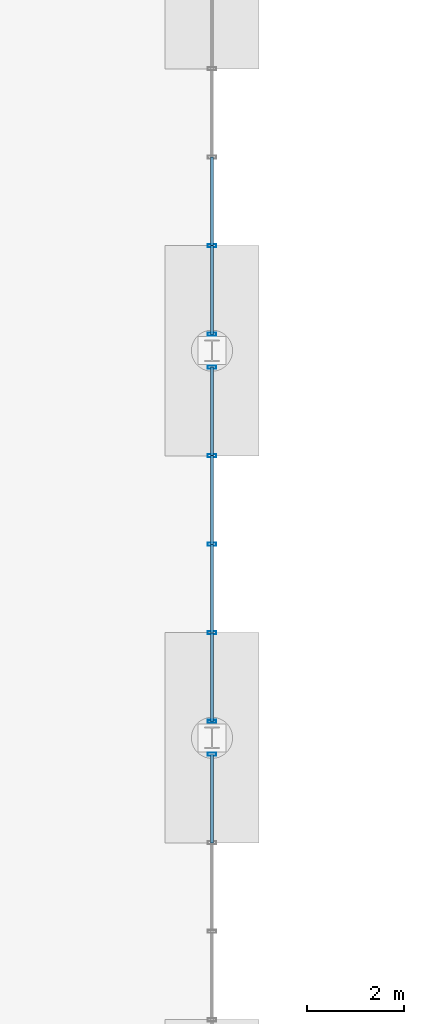
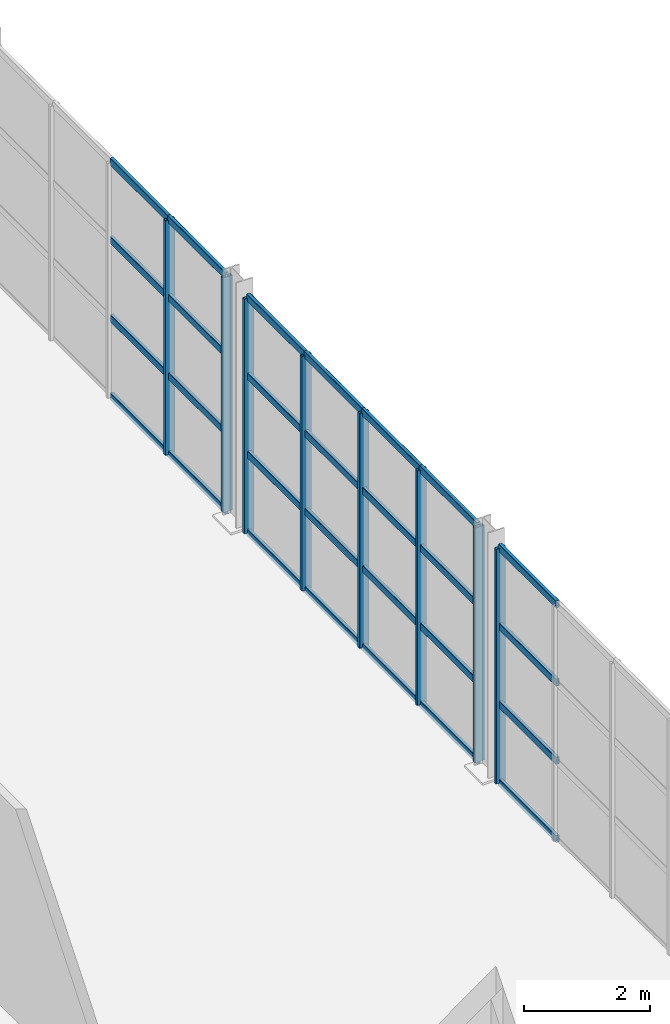
# One storey, part 46 of 101: 36 members, 3 elements without a shape of their own.
"""IFC4 building model written with IfcOpenShell, lengths in metres."""

import ifcopenshell
import ifcopenshell.guid

model = None  # the IFC model being written
_history = None  # IfcOwnerHistory: only IFC2X3 demands one
_inside = {}  # id of a spatial element -> (the spatial element, [elements in it])
_under = {}  # id of a project, library or spatial element -> (it, [spatial elements below it])
_declared = {}  # id of a project -> (the project, [libraries it declares])
_typed = {}  # id of a type object -> (the type object, [elements of that type])
_made_of = {}  # id of a material, layer set ... -> (it, [elements and type objects made of it])


def new_model(schema):
    """Start an empty IFC model of exactly this schema.

    Asked for "IFC4X3", IfcOpenShell would pick the latest addendum, in which some entities
    have other attributes; the version numbers below select the first issue.
    IFC2X3 requires an IfcOwnerHistory on every rooted entity: one is made here for all.
    """
    global model, _history
    if schema == "IFC4X3":
        model = ifcopenshell.file(schema_version=(4, 3, 0, 0))
    else:
        model = ifcopenshell.file(schema=schema)
    _inside.clear()
    _under.clear()
    _declared.clear()
    _typed.clear()
    _made_of.clear()
    _history = None
    if model.schema == "IFC2X3":
        org = make("IfcOrganization", Name="unknown")
        user = make(
            "IfcPersonAndOrganization",
            ThePerson=make("IfcPerson", FamilyName="unknown"),
            TheOrganization=org,
        )
        app = make(
            "IfcApplication",
            ApplicationDeveloper=org,
            Version="unknown",
            ApplicationFullName="unknown",
            ApplicationIdentifier="unknown",
        )
        _history = make(
            "IfcOwnerHistory",
            OwningUser=user,
            OwningApplication=app,
            ChangeAction="ADDED",
            CreationDate=0,
        )
    return model


def make(cls, **values):
    """One entity of the class cls with the attributes given. An attribute that is None is left unset."""
    return model.create_entity(
        cls, **{name: value for name, value in values.items() if value is not None}
    )


def rooted(cls, **values):
    """An entity with a GlobalId (a new one), such as an element, a storey or a relation."""
    return make(cls, GlobalId=ifcopenshell.guid.new(), OwnerHistory=_history, **values)


def si_unit(unit_type, name, prefix=None):
    """IfcSIUnit, for example si_unit("LENGTHUNIT", "METRE", prefix="MILLI")."""
    return make("IfcSIUnit", UnitType=unit_type, Prefix=prefix, Name=name)


def derived_unit(unit_type, elements):
    """IfcDerivedUnit: a product of units, each with its exponent."""
    return make(
        "IfcDerivedUnit",
        Elements=[
            make("IfcDerivedUnitElement", Unit=unit, Exponent=power)
            for unit, power in elements
        ],
        UnitType=unit_type,
    )


def assignment(units):
    """IfcUnitAssignment: the units of a project."""
    return None if units is None else make("IfcUnitAssignment", Units=units)


def point(xyz):
    """IfcCartesianPoint."""
    return None if xyz is None else make("IfcCartesianPoint", Coordinates=xyz)


def direction(xyz):
    """IfcDirection."""
    return None if xyz is None else make("IfcDirection", DirectionRatios=xyz)


def frame(location, z_axis=None, x_axis=None):
    """IfcAxis2Placement3D, a coordinate frame: its origin and axes. An axis left out is left unset."""
    return make(
        "IfcAxis2Placement3D",
        Location=point(location),
        Axis=direction(z_axis),
        RefDirection=direction(x_axis),
    )


def frame_2d(location, x_axis=None):
    """IfcAxis2Placement2D, a coordinate frame in the plane: its origin and x axis."""
    return make(
        "IfcAxis2Placement2D", Location=point(location), RefDirection=direction(x_axis)
    )


def origin():
    """The frame at (0, 0, 0) with its axes left unset."""
    return frame((0.0, 0.0, 0.0))


def origin_2d():
    """The frame at (0, 0) in the plane with its x axis left unset."""
    return frame_2d((0.0, 0.0))


def place(relative_to, where):
    """IfcLocalPlacement: puts the frame where relative to a parent placement (None: the world)."""
    return make(
        "IfcLocalPlacement", PlacementRelTo=relative_to, RelativePlacement=where
    )


def context(
    kind, dimensions, precision=None, world=None, true_north=None, identifier=None
):
    """IfcGeometricRepresentationContext, for example the 3D "Model" context."""
    return make(
        "IfcGeometricRepresentationContext",
        ContextIdentifier=identifier,
        ContextType=kind,
        CoordinateSpaceDimension=dimensions,
        Precision=precision,
        WorldCoordinateSystem=world,
        TrueNorth=true_north,
    )


def subcontext(parent, identifier, kind, view, scale=None):
    """IfcGeometricRepresentationSubContext, for example "Body" below "Model"."""
    return make(
        "IfcGeometricRepresentationSubContext",
        ContextIdentifier=identifier,
        ContextType=kind,
        ParentContext=parent,
        TargetScale=scale,
        TargetView=view,
    )


def project(units=None, contexts=None):
    """IfcProject with its units and contexts."""
    return rooted(
        "IfcProject",
        Name="project",
        RepresentationContexts=contexts,
        UnitsInContext=assignment(units),
    )


def spatial(cls, under=None, at=None, **own):
    """A site, building, storey or space (cls), placed at a placement, below another one or the project."""
    s = rooted(cls, ObjectPlacement=at, **own)
    if under is not None:
        _under.setdefault(under.id(), (under, []))[1].append(s)
    return s


def profile(cls, at=None, kind="AREA", **sizes):
    """A parametric profile (cls). Its sizes go by their IFC names, for example OverallWidth=200.0."""
    return make(cls, ProfileType=kind, Position=at, **sizes)


def hollow_rectangle(**sizes):
    """IfcRectangleHollowProfileDef."""
    return profile("IfcRectangleHollowProfileDef", **sizes)


def extrude(swept, where, along, depth):
    """IfcExtrudedAreaSolid: the profile swept, set in the frame where, extruded along a direction by depth."""
    return make(
        "IfcExtrudedAreaSolid",
        SweptArea=swept,
        Position=where,
        ExtrudedDirection=direction(along),
        Depth=depth,
    )


def shape(context_of_items, identifier, shape_type, items):
    """IfcShapeRepresentation: the items that make up one representation, for example the "Body"."""
    return make(
        "IfcShapeRepresentation",
        ContextOfItems=context_of_items,
        RepresentationIdentifier=identifier,
        RepresentationType=shape_type,
        Items=items,
    )


def material(Name=None, Category=None):
    """IfcMaterial."""
    return make("IfcMaterial", Name=Name, Category=Category)


def material_profile(
    of_material, cross_section, Name=None, Category=None, Priority=None
):
    """IfcMaterialProfile: a cross section and its material."""
    return make(
        "IfcMaterialProfile",
        Name=Name,
        Material=of_material,
        Profile=cross_section,
        Priority=Priority,
        Category=Category,
    )


def profile_set(profiles, Name=None, composite=None):
    """IfcMaterialProfileSet."""
    return make(
        "IfcMaterialProfileSet",
        Name=Name,
        MaterialProfiles=profiles,
        CompositeProfile=composite,
    )


def made_of(thing, what):
    """Note that an element or type object is made of a material, layer set ...; save() writes the relation."""
    if what is not None:
        _made_of.setdefault(what.id(), (what, []))[1].append(thing)
    return thing


def type_object(cls, material=None, **own):
    """A type object (cls), such as IfcWallType, which elements share."""
    return made_of(rooted(cls, **own), material)


def element(
    cls,
    number,
    at=None,
    inside=None,
    cuts=None,
    type_object=None,
    material=None,
    context=None,
    identifier="Body",
    shape_type=None,
    held_by="IfcProductDefinitionShape",
    body=None,
    shapes=None,
    **own,
):
    """One element of the class cls, such as IfcWall. Its Tag is "e" and its number.

    at: its placement. inside: the storey or other place that contains it. cuts: it is an
    opening in that element (IfcRelVoidsElement). A single representation is given by context,
    identifier, shape_type and body (its items); several are given by shapes. held_by: the class
    of the entity that holds the representations. save() writes the other relations.
    """
    e = rooted(cls, Tag="e%d" % number, ObjectPlacement=at, **own)
    if body is not None:
        shapes = [shape(context, identifier, shape_type, body)]
    if shapes is not None:
        e.Representation = make(held_by, Representations=shapes)
    if inside is not None:
        _inside.setdefault(inside.id(), (inside, []))[1].append(e)
    if cuts is not None:
        rooted(
            "IfcRelVoidsElement", RelatingBuildingElement=cuts, RelatedOpeningElement=e
        )
    if type_object is not None:
        _typed.setdefault(type_object.id(), (type_object, []))[1].append(e)
    return made_of(e, material)


def aggregate(whole, parts):
    """IfcRelAggregates: a whole, such as a stair, and the parts it consists of."""
    return rooted("IfcRelAggregates", RelatingObject=whole, RelatedObjects=parts)


def save(model, path):
    """Write the relations noted so far, then the file.

    IfcRelAggregates (storeys below a building ...), IfcRelContainedInSpatialStructure (elements
    in a storey), IfcRelDefinesByType, IfcRelAssociatesMaterial and IfcRelDeclares: one each for
    every whole, place, type object, material and project.
    """
    for whole, parts in _under.values():
        aggregate(whole, parts)
    for where, things in _inside.values():
        rooted(
            "IfcRelContainedInSpatialStructure",
            RelatedElements=things,
            RelatingStructure=where,
        )
    for kind, things in _typed.values():
        rooted("IfcRelDefinesByType", RelatedObjects=things, RelatingType=kind)
    for what, things in _made_of.values():
        rooted("IfcRelAssociatesMaterial", RelatedObjects=things, RelatingMaterial=what)
    for by, libraries in _declared.values():
        rooted("IfcRelDeclares", RelatingContext=by, RelatedDefinitions=libraries)
    model.write(path)


model = new_model("IFC4")

# Units and contexts
model_context = context("Model", 3, precision=1e-05, world=origin(), true_north=direction((0.0, 1.0)))
body_context = subcontext(model_context, "Body", "Model", "MODEL_VIEW")
ifc_project = project(units=[si_unit("LENGTHUNIT", "METRE"), si_unit("AREAUNIT", "SQUARE_METRE"), si_unit("VOLUMEUNIT", "CUBIC_METRE"), si_unit("PLANEANGLEUNIT", "RADIAN"), si_unit("MASSUNIT", "GRAM", prefix="KILO"), derived_unit("THERMALTRANSMITTANCEUNIT", [(si_unit("POWERUNIT", "WATT"), 1), (si_unit("LENGTHUNIT", "METRE"), -2), (si_unit("THERMODYNAMICTEMPERATUREUNIT", "KELVIN"), -1)])], contexts=[model_context])

# Site, building, storey
site_placement = place(None, origin())
site = spatial("IfcSite", under=ifc_project, at=site_placement, CompositionType="ELEMENT")
building_placement = place(site_placement, origin())
building = spatial("IfcBuilding", under=site, at=building_placement, Name="Keldorne Ridge Multi-Sports Centre", CompositionType="ELEMENT")
storey_placement = place(building_placement, origin())
storey = spatial("IfcBuildingStorey", under=building, at=storey_placement, Name="L00", CompositionType="ELEMENT", Elevation=0.0)

# Curtain wall, member
ifc_material = material(Name="Anodized aluminium", Category="aluminium")
curtain_wall_type_1 = type_object("IfcCurtainWallType", Name="CW-CW-05", PredefinedType="NOTDEFINED", material=ifc_material)
curtain_wall_1_placement = place(storey_placement, origin())
curtain_wall_1 = element("IfcCurtainWall", 1, at=curtain_wall_1_placement, inside=storey, type_object=curtain_wall_type_1, Name="Climbing east courtyard glazing L00 061", PredefinedType="NOTDEFINED")
ifc_material_profile_1 = material_profile(ifc_material, hollow_rectangle(XDim=0.06494140625, YDim=0.179931640625, WallThickness=0.00439453125, InnerFilletRadius=0.00439453125, OuterFilletRadius=0.009033203125, at=origin_2d()), Name="ALU MULLION 180x65x4.5")
ifc_profile_set_1 = profile_set([ifc_material_profile_1], Name="Anodized aluminium")
member_type_1 = type_object("IfcMemberType", Name="MEM-ML-01", PredefinedType="MULLION", material=ifc_profile_set_1)
member_1_placement = place(storey_placement, frame((42.0, 89.659912109375, 0.0), z_axis=(0.0, 0.0, 1.0), x_axis=(0.0, 1.0, 0.0)))
member_1 = element("IfcMember", 2, at=member_1_placement, type_object=member_type_1, Name="CW-061 vertical mullion 5", PredefinedType="MULLION", context=body_context, shape_type="SweptSolid", body=[
    extrude(hollow_rectangle(XDim=0.06494140625, YDim=0.179931640625, WallThickness=0.00439453125, InnerFilletRadius=0.00439453125, OuterFilletRadius=0.009033203125, at=origin_2d()), origin(), (0.0, 0.0, 1.0), 4.550048828125),
])

# Curtain wall, members
curtain_wall_type_2 = type_object("IfcCurtainWallType", Name="CW-CW-08", PredefinedType="NOTDEFINED", material=ifc_material)
curtain_wall_2_placement = place(storey_placement, origin())
curtain_wall_2 = element("IfcCurtainWall", 3, at=curtain_wall_2_placement, inside=storey, type_object=curtain_wall_type_2, Name="Climbing east courtyard glazing L00 064", PredefinedType="NOTDEFINED")
member_2_placement = place(storey_placement, frame((42.0, 90.340087890625, 0.0), z_axis=(0.0, 0.0, 1.0), x_axis=(0.0, 1.0, 0.0)))
member_2 = element("IfcMember", 4, at=member_2_placement, type_object=member_type_1, Name="CW-064 vertical mullion 1", PredefinedType="MULLION", context=body_context, shape_type="SweptSolid", body=[
    extrude(hollow_rectangle(XDim=0.06494140625, YDim=0.179931640625, WallThickness=0.00439453125, InnerFilletRadius=0.00439453125, OuterFilletRadius=0.009033203125, at=origin_2d()), origin(), (0.0, 0.0, 1.0), 4.550048828125),
])
member_3_placement = place(storey_placement, frame((42.0, 92.169921875, 0.0), z_axis=(0.0, 0.0, 1.0), x_axis=(0.0, 1.0, 0.0)))
member_3 = element("IfcMember", 5, at=member_3_placement, type_object=member_type_1, Name="CW-064 vertical mullion 2", PredefinedType="MULLION", context=body_context, shape_type="SweptSolid", body=[
    extrude(hollow_rectangle(XDim=0.06494140625, YDim=0.179931640625, WallThickness=0.00439453125, InnerFilletRadius=0.00439453125, OuterFilletRadius=0.009033203125, at=origin_2d()), origin(), (0.0, 0.0, 1.0), 4.550048828125),
])
member_4_placement = place(storey_placement, frame((42.0, 94.0, 0.0), z_axis=(0.0, 0.0, 1.0), x_axis=(0.0, 1.0, 0.0)))
member_4 = element("IfcMember", 6, at=member_4_placement, type_object=member_type_1, Name="CW-064 vertical mullion 3", PredefinedType="MULLION", context=body_context, shape_type="SweptSolid", body=[
    extrude(hollow_rectangle(XDim=0.06494140625, YDim=0.179931640625, WallThickness=0.00439453125, InnerFilletRadius=0.00439453125, OuterFilletRadius=0.009033203125, at=origin_2d()), origin(), (0.0, 0.0, 1.0), 4.550048828125),
])
member_5_placement = place(storey_placement, frame((42.0, 95.830078125, 0.0), z_axis=(0.0, 0.0, 1.0), x_axis=(0.0, 1.0, 0.0)))
member_5 = element("IfcMember", 7, at=member_5_placement, type_object=member_type_1, Name="CW-064 vertical mullion 4", PredefinedType="MULLION", context=body_context, shape_type="SweptSolid", body=[
    extrude(hollow_rectangle(XDim=0.06494140625, YDim=0.179931640625, WallThickness=0.00439453125, InnerFilletRadius=0.00439453125, OuterFilletRadius=0.009033203125, at=origin_2d()), origin(), (0.0, 0.0, 1.0), 4.550048828125),
])
member_6_placement = place(storey_placement, frame((42.0, 97.659912109375, 0.0), z_axis=(0.0, 0.0, 1.0), x_axis=(0.0, 1.0, 0.0)))
member_6 = element("IfcMember", 8, at=member_6_placement, type_object=member_type_1, Name="CW-064 vertical mullion 5", PredefinedType="MULLION", context=body_context, shape_type="SweptSolid", body=[
    extrude(hollow_rectangle(XDim=0.06494140625, YDim=0.179931640625, WallThickness=0.00439453125, InnerFilletRadius=0.00439453125, OuterFilletRadius=0.009033203125, at=origin_2d()), origin(), (0.0, 0.0, 1.0), 4.550048828125),
])

curtain_wall_type_3 = type_object("IfcCurtainWallType", Name="CW-CW-03", PredefinedType="NOTDEFINED", material=ifc_material)
curtain_wall_3_placement = place(storey_placement, origin())
curtain_wall_3 = element("IfcCurtainWall", 9, at=curtain_wall_3_placement, inside=storey, type_object=curtain_wall_type_3, Name="Climbing east courtyard glazing L00 067", PredefinedType="NOTDEFINED")
member_7_placement = place(storey_placement, frame((42.0, 98.340087890625, 0.0), z_axis=(0.0, 0.0, 1.0), x_axis=(0.0, 1.0, 0.0)))
member_7 = element("IfcMember", 10, at=member_7_placement, type_object=member_type_1, Name="CW-067 vertical mullion 1", PredefinedType="MULLION", context=body_context, shape_type="SweptSolid", body=[
    extrude(hollow_rectangle(XDim=0.06494140625, YDim=0.179931640625, WallThickness=0.00439453125, InnerFilletRadius=0.00439453125, OuterFilletRadius=0.009033203125, at=origin_2d()), origin(), (0.0, 0.0, 1.0), 4.550048828125),
])
member_8_placement = place(storey_placement, frame((42.0, 100.169921875, 0.0), z_axis=(0.0, 0.0, 1.0), x_axis=(0.0, 1.0, 0.0)))
member_8 = element("IfcMember", 11, at=member_8_placement, type_object=member_type_1, Name="CW-067 vertical mullion 2", PredefinedType="MULLION", context=body_context, shape_type="SweptSolid", body=[
    extrude(hollow_rectangle(XDim=0.06494140625, YDim=0.179931640625, WallThickness=0.00439453125, InnerFilletRadius=0.00439453125, OuterFilletRadius=0.009033203125, at=origin_2d()), origin(), (0.0, 0.0, 1.0), 4.550048828125),
])

# Member
ifc_material_profile_2 = material_profile(ifc_material, hollow_rectangle(XDim=0.06494140625, YDim=0.139892578125, WallThickness=0.00439453125, InnerFilletRadius=0.00439453125, OuterFilletRadius=0.009033203125, at=origin_2d()), Name="ALU TRANSOM 140x65x4.5")
ifc_profile_set_2 = profile_set([ifc_material_profile_2], Name="Anodized aluminium")
member_type_2 = type_object("IfcMemberType", Name="MEM-TR-01", PredefinedType="USERDEFINED", material=ifc_profile_set_2)
member_9_placement = place(storey_placement, frame((42.0, 87.830078125, 0.0), z_axis=(0.0, 1.0, 0.0), x_axis=(-1.0, 0.0, 0.0)))
member_9 = element("IfcMember", 12, at=member_9_placement, type_object=member_type_2, Name="CW-061 transom 4.1", ObjectType="TRANSOM", PredefinedType="USERDEFINED", context=body_context, shape_type="SweptSolid", body=[
    extrude(hollow_rectangle(XDim=0.06494140625, YDim=0.139892578125, WallThickness=0.00439453125, InnerFilletRadius=0.00439453125, OuterFilletRadius=0.009033203125, at=origin_2d()), origin(), (0.0, 0.0, 1.0), 1.829833984375),
])

member_10_placement = place(storey_placement, frame((42.0, 87.830078125, 1.5166015625), z_axis=(0.0, 1.0, 0.0), x_axis=(-1.0, 0.0, 0.0)))
member_10 = element("IfcMember", 13, at=member_10_placement, type_object=member_type_2, Name="CW-061 transom 4.2", ObjectType="TRANSOM", PredefinedType="USERDEFINED", context=body_context, shape_type="SweptSolid", body=[
    extrude(hollow_rectangle(XDim=0.06494140625, YDim=0.139892578125, WallThickness=0.00439453125, InnerFilletRadius=0.00439453125, OuterFilletRadius=0.009033203125, at=origin_2d()), origin(), (0.0, 0.0, 1.0), 1.829833984375),
])

member_11_placement = place(storey_placement, frame((42.0, 87.830078125, 3.033203125), z_axis=(0.0, 1.0, 0.0), x_axis=(-1.0, 0.0, 0.0)))
member_11 = element("IfcMember", 14, at=member_11_placement, type_object=member_type_2, Name="CW-061 transom 4.3", ObjectType="TRANSOM", PredefinedType="USERDEFINED", context=body_context, shape_type="SweptSolid", body=[
    extrude(hollow_rectangle(XDim=0.06494140625, YDim=0.139892578125, WallThickness=0.00439453125, InnerFilletRadius=0.00439453125, OuterFilletRadius=0.009033203125, at=origin_2d()), origin(), (0.0, 0.0, 1.0), 1.829833984375),
])

member_12_placement = place(storey_placement, frame((42.0, 87.830078125, 4.550048828125), z_axis=(0.0, 1.0, 0.0), x_axis=(-1.0, 0.0, 0.0)))
member_12 = element("IfcMember", 15, at=member_12_placement, type_object=member_type_2, Name="CW-061 transom 4.4", ObjectType="TRANSOM", PredefinedType="USERDEFINED", context=body_context, shape_type="SweptSolid", body=[
    extrude(hollow_rectangle(XDim=0.06494140625, YDim=0.139892578125, WallThickness=0.00439453125, InnerFilletRadius=0.00439453125, OuterFilletRadius=0.009033203125, at=origin_2d()), origin(), (0.0, 0.0, 1.0), 1.829833984375),
])

aggregate(curtain_wall_1, [member_1, member_9, member_10, member_11, member_12])

member_13_placement = place(storey_placement, frame((42.0, 90.340087890625, 0.0), z_axis=(0.0, 1.0, 0.0), x_axis=(-1.0, 0.0, 0.0)))
member_13 = element("IfcMember", 16, at=member_13_placement, type_object=member_type_2, Name="CW-064 transom 1.1", ObjectType="TRANSOM", PredefinedType="USERDEFINED", context=body_context, shape_type="SweptSolid", body=[
    extrude(hollow_rectangle(XDim=0.06494140625, YDim=0.139892578125, WallThickness=0.00439453125, InnerFilletRadius=0.00439453125, OuterFilletRadius=0.009033203125, at=origin_2d()), origin(), (0.0, 0.0, 1.0), 1.829833984375),
])

member_14_placement = place(storey_placement, frame((42.0, 90.340087890625, 1.5166015625), z_axis=(0.0, 1.0, 0.0), x_axis=(-1.0, 0.0, 0.0)))
member_14 = element("IfcMember", 17, at=member_14_placement, type_object=member_type_2, Name="CW-064 transom 1.2", ObjectType="TRANSOM", PredefinedType="USERDEFINED", context=body_context, shape_type="SweptSolid", body=[
    extrude(hollow_rectangle(XDim=0.06494140625, YDim=0.139892578125, WallThickness=0.00439453125, InnerFilletRadius=0.00439453125, OuterFilletRadius=0.009033203125, at=origin_2d()), origin(), (0.0, 0.0, 1.0), 1.829833984375),
])

member_15_placement = place(storey_placement, frame((42.0, 90.340087890625, 3.033203125), z_axis=(0.0, 1.0, 0.0), x_axis=(-1.0, 0.0, 0.0)))
member_15 = element("IfcMember", 18, at=member_15_placement, type_object=member_type_2, Name="CW-064 transom 1.3", ObjectType="TRANSOM", PredefinedType="USERDEFINED", context=body_context, shape_type="SweptSolid", body=[
    extrude(hollow_rectangle(XDim=0.06494140625, YDim=0.139892578125, WallThickness=0.00439453125, InnerFilletRadius=0.00439453125, OuterFilletRadius=0.009033203125, at=origin_2d()), origin(), (0.0, 0.0, 1.0), 1.829833984375),
])

member_16_placement = place(storey_placement, frame((42.0, 90.340087890625, 4.550048828125), z_axis=(0.0, 1.0, 0.0), x_axis=(-1.0, 0.0, 0.0)))
member_16 = element("IfcMember", 19, at=member_16_placement, type_object=member_type_2, Name="CW-064 transom 1.4", ObjectType="TRANSOM", PredefinedType="USERDEFINED", context=body_context, shape_type="SweptSolid", body=[
    extrude(hollow_rectangle(XDim=0.06494140625, YDim=0.139892578125, WallThickness=0.00439453125, InnerFilletRadius=0.00439453125, OuterFilletRadius=0.009033203125, at=origin_2d()), origin(), (0.0, 0.0, 1.0), 1.829833984375),
])

member_17_placement = place(storey_placement, frame((42.0, 92.169921875, 0.0), z_axis=(0.0, 1.0, 0.0), x_axis=(-1.0, 0.0, 0.0)))
member_17 = element("IfcMember", 20, at=member_17_placement, type_object=member_type_2, Name="CW-064 transom 2.1", ObjectType="TRANSOM", PredefinedType="USERDEFINED", context=body_context, shape_type="SweptSolid", body=[
    extrude(hollow_rectangle(XDim=0.06494140625, YDim=0.139892578125, WallThickness=0.00439453125, InnerFilletRadius=0.00439453125, OuterFilletRadius=0.009033203125, at=origin_2d()), origin(), (0.0, 0.0, 1.0), 1.830078125),
])

member_18_placement = place(storey_placement, frame((42.0, 92.169921875, 1.5166015625), z_axis=(0.0, 1.0, 0.0), x_axis=(-1.0, 0.0, 0.0)))
member_18 = element("IfcMember", 21, at=member_18_placement, type_object=member_type_2, Name="CW-064 transom 2.2", ObjectType="TRANSOM", PredefinedType="USERDEFINED", context=body_context, shape_type="SweptSolid", body=[
    extrude(hollow_rectangle(XDim=0.06494140625, YDim=0.139892578125, WallThickness=0.00439453125, InnerFilletRadius=0.00439453125, OuterFilletRadius=0.009033203125, at=origin_2d()), origin(), (0.0, 0.0, 1.0), 1.830078125),
])

member_19_placement = place(storey_placement, frame((42.0, 92.169921875, 3.033203125), z_axis=(0.0, 1.0, 0.0), x_axis=(-1.0, 0.0, 0.0)))
member_19 = element("IfcMember", 22, at=member_19_placement, type_object=member_type_2, Name="CW-064 transom 2.3", ObjectType="TRANSOM", PredefinedType="USERDEFINED", context=body_context, shape_type="SweptSolid", body=[
    extrude(hollow_rectangle(XDim=0.06494140625, YDim=0.139892578125, WallThickness=0.00439453125, InnerFilletRadius=0.00439453125, OuterFilletRadius=0.009033203125, at=origin_2d()), origin(), (0.0, 0.0, 1.0), 1.830078125),
])

member_20_placement = place(storey_placement, frame((42.0, 92.169921875, 4.550048828125), z_axis=(0.0, 1.0, 0.0), x_axis=(-1.0, 0.0, 0.0)))
member_20 = element("IfcMember", 23, at=member_20_placement, type_object=member_type_2, Name="CW-064 transom 2.4", ObjectType="TRANSOM", PredefinedType="USERDEFINED", context=body_context, shape_type="SweptSolid", body=[
    extrude(hollow_rectangle(XDim=0.06494140625, YDim=0.139892578125, WallThickness=0.00439453125, InnerFilletRadius=0.00439453125, OuterFilletRadius=0.009033203125, at=origin_2d()), origin(), (0.0, 0.0, 1.0), 1.830078125),
])

member_21_placement = place(storey_placement, frame((42.0, 94.0, 0.0), z_axis=(0.0, 1.0, 0.0), x_axis=(-1.0, 0.0, 0.0)))
member_21 = element("IfcMember", 24, at=member_21_placement, type_object=member_type_2, Name="CW-064 transom 3.1", ObjectType="TRANSOM", PredefinedType="USERDEFINED", context=body_context, shape_type="SweptSolid", body=[
    extrude(hollow_rectangle(XDim=0.06494140625, YDim=0.139892578125, WallThickness=0.00439453125, InnerFilletRadius=0.00439453125, OuterFilletRadius=0.009033203125, at=origin_2d()), origin(), (0.0, 0.0, 1.0), 1.830078125),
])

member_22_placement = place(storey_placement, frame((42.0, 94.0, 1.5166015625), z_axis=(0.0, 1.0, 0.0), x_axis=(-1.0, 0.0, 0.0)))
member_22 = element("IfcMember", 25, at=member_22_placement, type_object=member_type_2, Name="CW-064 transom 3.2", ObjectType="TRANSOM", PredefinedType="USERDEFINED", context=body_context, shape_type="SweptSolid", body=[
    extrude(hollow_rectangle(XDim=0.06494140625, YDim=0.139892578125, WallThickness=0.00439453125, InnerFilletRadius=0.00439453125, OuterFilletRadius=0.009033203125, at=origin_2d()), origin(), (0.0, 0.0, 1.0), 1.830078125),
])

member_23_placement = place(storey_placement, frame((42.0, 94.0, 3.033203125), z_axis=(0.0, 1.0, 0.0), x_axis=(-1.0, 0.0, 0.0)))
member_23 = element("IfcMember", 26, at=member_23_placement, type_object=member_type_2, Name="CW-064 transom 3.3", ObjectType="TRANSOM", PredefinedType="USERDEFINED", context=body_context, shape_type="SweptSolid", body=[
    extrude(hollow_rectangle(XDim=0.06494140625, YDim=0.139892578125, WallThickness=0.00439453125, InnerFilletRadius=0.00439453125, OuterFilletRadius=0.009033203125, at=origin_2d()), origin(), (0.0, 0.0, 1.0), 1.830078125),
])

member_24_placement = place(storey_placement, frame((42.0, 94.0, 4.550048828125), z_axis=(0.0, 1.0, 0.0), x_axis=(-1.0, 0.0, 0.0)))
member_24 = element("IfcMember", 27, at=member_24_placement, type_object=member_type_2, Name="CW-064 transom 3.4", ObjectType="TRANSOM", PredefinedType="USERDEFINED", context=body_context, shape_type="SweptSolid", body=[
    extrude(hollow_rectangle(XDim=0.06494140625, YDim=0.139892578125, WallThickness=0.00439453125, InnerFilletRadius=0.00439453125, OuterFilletRadius=0.009033203125, at=origin_2d()), origin(), (0.0, 0.0, 1.0), 1.830078125),
])

member_25_placement = place(storey_placement, frame((42.0, 95.830078125, 0.0), z_axis=(0.0, 1.0, 0.0), x_axis=(-1.0, 0.0, 0.0)))
member_25 = element("IfcMember", 28, at=member_25_placement, type_object=member_type_2, Name="CW-064 transom 4.1", ObjectType="TRANSOM", PredefinedType="USERDEFINED", context=body_context, shape_type="SweptSolid", body=[
    extrude(hollow_rectangle(XDim=0.06494140625, YDim=0.139892578125, WallThickness=0.00439453125, InnerFilletRadius=0.00439453125, OuterFilletRadius=0.009033203125, at=origin_2d()), origin(), (0.0, 0.0, 1.0), 1.829833984375),
])

member_26_placement = place(storey_placement, frame((42.0, 95.830078125, 1.5166015625), z_axis=(0.0, 1.0, 0.0), x_axis=(-1.0, 0.0, 0.0)))
member_26 = element("IfcMember", 29, at=member_26_placement, type_object=member_type_2, Name="CW-064 transom 4.2", ObjectType="TRANSOM", PredefinedType="USERDEFINED", context=body_context, shape_type="SweptSolid", body=[
    extrude(hollow_rectangle(XDim=0.06494140625, YDim=0.139892578125, WallThickness=0.00439453125, InnerFilletRadius=0.00439453125, OuterFilletRadius=0.009033203125, at=origin_2d()), origin(), (0.0, 0.0, 1.0), 1.829833984375),
])

member_27_placement = place(storey_placement, frame((42.0, 95.830078125, 3.033203125), z_axis=(0.0, 1.0, 0.0), x_axis=(-1.0, 0.0, 0.0)))
member_27 = element("IfcMember", 30, at=member_27_placement, type_object=member_type_2, Name="CW-064 transom 4.3", ObjectType="TRANSOM", PredefinedType="USERDEFINED", context=body_context, shape_type="SweptSolid", body=[
    extrude(hollow_rectangle(XDim=0.06494140625, YDim=0.139892578125, WallThickness=0.00439453125, InnerFilletRadius=0.00439453125, OuterFilletRadius=0.009033203125, at=origin_2d()), origin(), (0.0, 0.0, 1.0), 1.829833984375),
])

member_28_placement = place(storey_placement, frame((42.0, 95.830078125, 4.550048828125), z_axis=(0.0, 1.0, 0.0), x_axis=(-1.0, 0.0, 0.0)))
member_28 = element("IfcMember", 31, at=member_28_placement, type_object=member_type_2, Name="CW-064 transom 4.4", ObjectType="TRANSOM", PredefinedType="USERDEFINED", context=body_context, shape_type="SweptSolid", body=[
    extrude(hollow_rectangle(XDim=0.06494140625, YDim=0.139892578125, WallThickness=0.00439453125, InnerFilletRadius=0.00439453125, OuterFilletRadius=0.009033203125, at=origin_2d()), origin(), (0.0, 0.0, 1.0), 1.829833984375),
])

aggregate(curtain_wall_2, [member_2, member_3, member_4, member_5, member_6, member_13, member_14, member_15, member_16, member_17, member_18, member_19, member_20, member_21, member_22, member_23, member_24, member_25, member_26, member_27, member_28])

member_29_placement = place(storey_placement, frame((42.0, 98.340087890625, 0.0), z_axis=(0.0, 1.0, 0.0), x_axis=(-1.0, 0.0, 0.0)))
member_29 = element("IfcMember", 32, at=member_29_placement, type_object=member_type_2, Name="CW-067 transom 1.1", ObjectType="TRANSOM", PredefinedType="USERDEFINED", context=body_context, shape_type="SweptSolid", body=[
    extrude(hollow_rectangle(XDim=0.06494140625, YDim=0.139892578125, WallThickness=0.00439453125, InnerFilletRadius=0.00439453125, OuterFilletRadius=0.009033203125, at=origin_2d()), origin(), (0.0, 0.0, 1.0), 1.829833984375),
])

member_30_placement = place(storey_placement, frame((42.0, 98.340087890625, 1.5166015625), z_axis=(0.0, 1.0, 0.0), x_axis=(-1.0, 0.0, 0.0)))
member_30 = element("IfcMember", 33, at=member_30_placement, type_object=member_type_2, Name="CW-067 transom 1.2", ObjectType="TRANSOM", PredefinedType="USERDEFINED", context=body_context, shape_type="SweptSolid", body=[
    extrude(hollow_rectangle(XDim=0.06494140625, YDim=0.139892578125, WallThickness=0.00439453125, InnerFilletRadius=0.00439453125, OuterFilletRadius=0.009033203125, at=origin_2d()), origin(), (0.0, 0.0, 1.0), 1.829833984375),
])

member_31_placement = place(storey_placement, frame((42.0, 98.340087890625, 3.033203125), z_axis=(0.0, 1.0, 0.0), x_axis=(-1.0, 0.0, 0.0)))
member_31 = element("IfcMember", 34, at=member_31_placement, type_object=member_type_2, Name="CW-067 transom 1.3", ObjectType="TRANSOM", PredefinedType="USERDEFINED", context=body_context, shape_type="SweptSolid", body=[
    extrude(hollow_rectangle(XDim=0.06494140625, YDim=0.139892578125, WallThickness=0.00439453125, InnerFilletRadius=0.00439453125, OuterFilletRadius=0.009033203125, at=origin_2d()), origin(), (0.0, 0.0, 1.0), 1.829833984375),
])

member_32_placement = place(storey_placement, frame((42.0, 98.340087890625, 4.550048828125), z_axis=(0.0, 1.0, 0.0), x_axis=(-1.0, 0.0, 0.0)))
member_32 = element("IfcMember", 35, at=member_32_placement, type_object=member_type_2, Name="CW-067 transom 1.4", ObjectType="TRANSOM", PredefinedType="USERDEFINED", context=body_context, shape_type="SweptSolid", body=[
    extrude(hollow_rectangle(XDim=0.06494140625, YDim=0.139892578125, WallThickness=0.00439453125, InnerFilletRadius=0.00439453125, OuterFilletRadius=0.009033203125, at=origin_2d()), origin(), (0.0, 0.0, 1.0), 1.829833984375),
])

member_33_placement = place(storey_placement, frame((42.0, 100.169921875, 0.0), z_axis=(0.0, 1.0, 0.0), x_axis=(-1.0, 0.0, 0.0)))
member_33 = element("IfcMember", 36, at=member_33_placement, type_object=member_type_2, Name="CW-067 transom 2.1", ObjectType="TRANSOM", PredefinedType="USERDEFINED", context=body_context, shape_type="SweptSolid", body=[
    extrude(hollow_rectangle(XDim=0.06494140625, YDim=0.139892578125, WallThickness=0.00439453125, InnerFilletRadius=0.00439453125, OuterFilletRadius=0.009033203125, at=origin_2d()), origin(), (0.0, 0.0, 1.0), 1.830078125),
])

member_34_placement = place(storey_placement, frame((42.0, 100.169921875, 1.5166015625), z_axis=(0.0, 1.0, 0.0), x_axis=(-1.0, 0.0, 0.0)))
member_34 = element("IfcMember", 37, at=member_34_placement, type_object=member_type_2, Name="CW-067 transom 2.2", ObjectType="TRANSOM", PredefinedType="USERDEFINED", context=body_context, shape_type="SweptSolid", body=[
    extrude(hollow_rectangle(XDim=0.06494140625, YDim=0.139892578125, WallThickness=0.00439453125, InnerFilletRadius=0.00439453125, OuterFilletRadius=0.009033203125, at=origin_2d()), origin(), (0.0, 0.0, 1.0), 1.830078125),
])

member_35_placement = place(storey_placement, frame((42.0, 100.169921875, 3.033203125), z_axis=(0.0, 1.0, 0.0), x_axis=(-1.0, 0.0, 0.0)))
member_35 = element("IfcMember", 38, at=member_35_placement, type_object=member_type_2, Name="CW-067 transom 2.3", ObjectType="TRANSOM", PredefinedType="USERDEFINED", context=body_context, shape_type="SweptSolid", body=[
    extrude(hollow_rectangle(XDim=0.06494140625, YDim=0.139892578125, WallThickness=0.00439453125, InnerFilletRadius=0.00439453125, OuterFilletRadius=0.009033203125, at=origin_2d()), origin(), (0.0, 0.0, 1.0), 1.830078125),
])

member_36_placement = place(storey_placement, frame((42.0, 100.169921875, 4.550048828125), z_axis=(0.0, 1.0, 0.0), x_axis=(-1.0, 0.0, 0.0)))
member_36 = element("IfcMember", 39, at=member_36_placement, type_object=member_type_2, Name="CW-067 transom 2.4", ObjectType="TRANSOM", PredefinedType="USERDEFINED", context=body_context, shape_type="SweptSolid", body=[
    extrude(hollow_rectangle(XDim=0.06494140625, YDim=0.139892578125, WallThickness=0.00439453125, InnerFilletRadius=0.00439453125, OuterFilletRadius=0.009033203125, at=origin_2d()), origin(), (0.0, 0.0, 1.0), 1.830078125),
])

aggregate(curtain_wall_3, [member_7, member_8, member_29, member_30, member_31, member_32, member_33, member_34, member_35, member_36])

save(model, "model.ifc")
